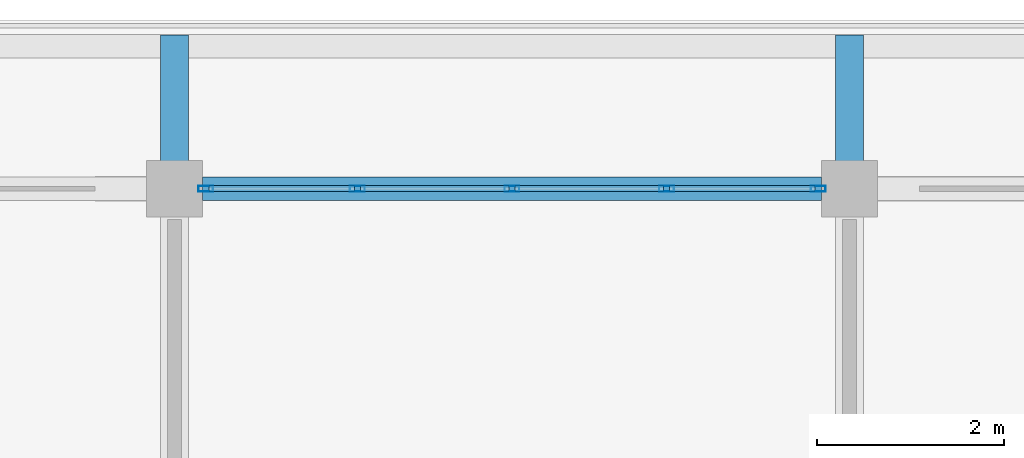
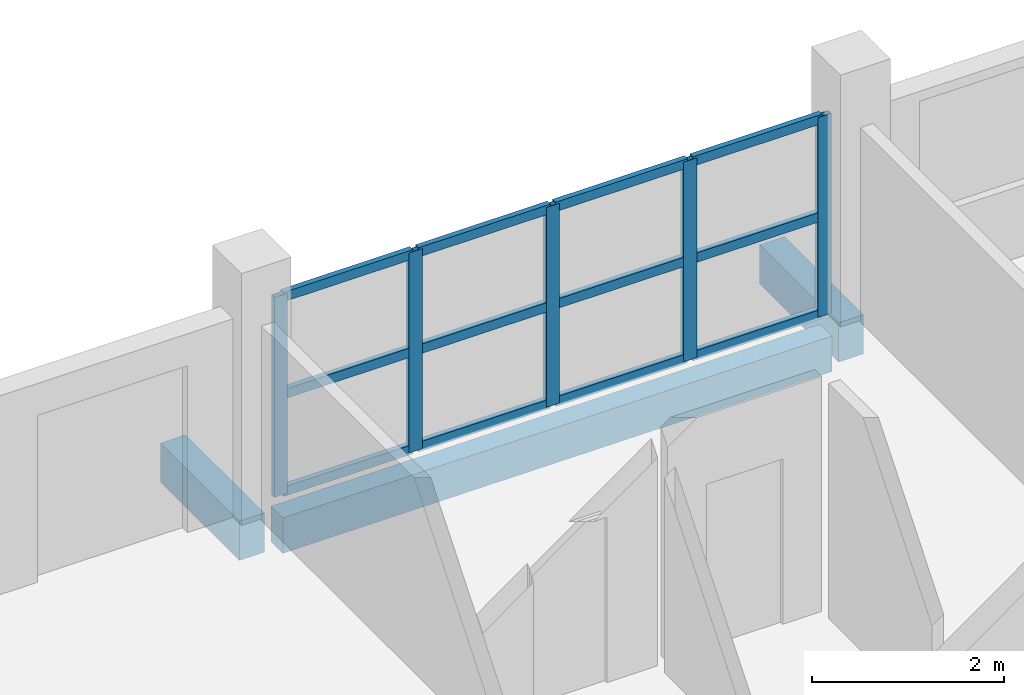
# One storey, part 17 of 67: 17 members, 3 beams, 1 element without a shape of its own.
"""IFC4 building model written with IfcOpenShell, lengths in metres."""

from ifc_helpers import new_model, si_unit, direction, frame, origin, origin_2d, place, context, subcontext, project, spatial, rectangle, hollow_rectangle, extrude, material, material_profile, profile_set, type_object, element, aggregate, save


model = new_model("IFC4")

# Units and contexts
model_context = context("Model", 3, precision=1e-05, world=origin(), true_north=direction((0.0, 1.0)))
body_context = subcontext(model_context, "Body", "Model", "MODEL_VIEW")
ifc_project = project(units=[si_unit("LENGTHUNIT", "METRE"), si_unit("AREAUNIT", "SQUARE_METRE"), si_unit("VOLUMEUNIT", "CUBIC_METRE"), si_unit("PLANEANGLEUNIT", "RADIAN"), si_unit("MASSUNIT", "GRAM", prefix="KILO")], contexts=[model_context])

# Site, building, storey
site_placement = place(None, origin())
site = spatial("IfcSite", under=ifc_project, at=site_placement, CompositionType="ELEMENT")
building_placement = place(site_placement, origin())
building = spatial("IfcBuilding", under=site, at=building_placement, Name="Suanplinth Sawtooth Commons", CompositionType="ELEMENT")
storey_placement = place(building_placement, frame((0.0, 0.0, 25.10009765625)))
storey = spatial("IfcBuildingStorey", under=building, at=storey_placement, Name="L07", CompositionType="ELEMENT", Elevation=25.10009765625)

# Beams
ifc_material_1 = material(Name="Precast concrete C40/50", Category="concrete")
ifc_material_profile_1 = material_profile(ifc_material_1, rectangle(XDim=0.300048828125, YDim=0.5, at=origin_2d()), Name="PC-BM 300x500")
ifc_profile_set_1 = profile_set([ifc_material_profile_1], Name="Precast concrete C40/50")
beam_type_1 = type_object("IfcBeamType", Name="B-07", PredefinedType="BEAM", material=ifc_profile_set_1)
for number, where, z_axis, x_axis, name in (
    (1, (86.39990234375, 122.39990234375, -0.43017578125), (0.0, 1.0, 0.0), (-1.0, 0.0, 0.0), "Balcony Outrigger L07-A-N-12"),
    (2, (93.60009765625, 122.39990234375, -0.43017578125), (0.0, 1.0, 0.0), (-1.0, 0.0, 0.0), "Balcony Outrigger L07-A-N-13"),
):
    element("IfcBeam", number, at=place(storey_placement, frame(where, z_axis=z_axis, x_axis=x_axis)), inside=storey, type_object=beam_type_1, Name=name, PredefinedType="BEAM", context=body_context, shape_type="SweptSolid", body=[
        extrude(rectangle(XDim=0.300048828125, YDim=0.5, at=origin_2d()), origin(), (0.0, 0.0, 1.0), 1.64013671875),
    ])
ifc_material_profile_2 = material_profile(ifc_material_1, rectangle(XDim=0.25, YDim=0.449951171875, at=origin_2d()), Name="PC-SP 250x450")
ifc_profile_set_2 = profile_set([ifc_material_profile_2], Name="Precast concrete C40/50")
beam_type_2 = type_object("IfcBeamType", Name="B-09", PredefinedType="SPANDREL", material=ifc_profile_set_2)
beam_placement = place(storey_placement, frame((86.699951171875, 122.39990234375, -0.445068359375), z_axis=(1.0, 0.0, 0.0), x_axis=(0.0, 1.0, 0.0)))
element("IfcBeam", 3, at=beam_placement, inside=storey, type_object=beam_type_2, Name="BMX-L07-A-12-17", PredefinedType="SPANDREL", context=body_context, shape_type="SweptSolid", body=[
    extrude(rectangle(XDim=0.25, YDim=0.449951171875, at=origin_2d()), origin(), (0.0, 0.0, 1.0), 6.60009765625),
])

# Curtain wall, members
ifc_material_2 = material(Name="Anodized aluminium and low-E glazing", Category="aluminium")
curtain_wall_type = type_object("IfcCurtainWallType", Name="CW-06", PredefinedType="USERDEFINED", material=ifc_material_2)
curtain_wall_placement = place(storey_placement, origin())
curtain_wall = element("IfcCurtainWall", 4, at=curtain_wall_placement, inside=storey, type_object=curtain_wall_type, Name="Curtain Wall CW-L07-A-LOUNGE-11", ObjectType="CURTAIN WALL", PredefinedType="USERDEFINED")
ifc_material_3 = material(Name="Anodized aluminium 6063-T6", Category="aluminium")
ifc_material_profile_3 = material_profile(ifc_material_3, hollow_rectangle(XDim=0.06494140625, YDim=0.159912109375, WallThickness=0.00390625, at=origin_2d()), Name="ALU-MUL 65x160")
ifc_profile_set_3 = profile_set([ifc_material_profile_3], Name="Anodized aluminium 6063-T6")
member_type_1 = type_object("IfcMemberType", Name="M-13", PredefinedType="MULLION", material=ifc_profile_set_3)
member_1_placement = place(storey_placement, frame((86.732421875, 122.39990234375, 0.0), z_axis=(0.0, 0.0, 1.0), x_axis=(0.0, 1.0, 0.0)))
member_1 = element("IfcMember", 5, at=member_1_placement, type_object=member_type_1, Name="CW-06 mullion 1", PredefinedType="MULLION", context=body_context, shape_type="SweptSolid", body=[
    extrude(hollow_rectangle(XDim=0.06494140625, YDim=0.159912109375, WallThickness=0.00390625, at=origin_2d()), origin(), (0.0, 0.0, 1.0), 2.539794921875),
])
member_2_placement = place(storey_placement, frame((88.35009765625, 122.39990234375, 0.0), z_axis=(0.0, 0.0, 1.0), x_axis=(0.0, 1.0, 0.0)))
member_2 = element("IfcMember", 6, at=member_2_placement, type_object=member_type_1, Name="CW-06 mullion 2", PredefinedType="MULLION", context=body_context, shape_type="SweptSolid", body=[
    extrude(hollow_rectangle(XDim=0.06494140625, YDim=0.159912109375, WallThickness=0.00390625, at=origin_2d()), origin(), (0.0, 0.0, 1.0), 2.539794921875),
])
member_3_placement = place(storey_placement, frame((90.0, 122.39990234375, 0.0), z_axis=(0.0, 0.0, 1.0), x_axis=(0.0, 1.0, 0.0)))
member_3 = element("IfcMember", 7, at=member_3_placement, type_object=member_type_1, Name="CW-06 mullion 3", PredefinedType="MULLION", context=body_context, shape_type="SweptSolid", body=[
    extrude(hollow_rectangle(XDim=0.06494140625, YDim=0.159912109375, WallThickness=0.00390625, at=origin_2d()), origin(), (0.0, 0.0, 1.0), 2.539794921875),
])
member_4_placement = place(storey_placement, frame((91.64990234375, 122.39990234375, 0.0), z_axis=(0.0, 0.0, 1.0), x_axis=(0.0, 1.0, 0.0)))
member_4 = element("IfcMember", 8, at=member_4_placement, type_object=member_type_1, Name="CW-06 mullion 4", PredefinedType="MULLION", context=body_context, shape_type="SweptSolid", body=[
    extrude(hollow_rectangle(XDim=0.06494140625, YDim=0.159912109375, WallThickness=0.00390625, at=origin_2d()), origin(), (0.0, 0.0, 1.0), 2.539794921875),
])
member_5_placement = place(storey_placement, frame((93.267578125, 122.39990234375, 0.0), z_axis=(0.0, 0.0, 1.0), x_axis=(0.0, 1.0, 0.0)))
member_5 = element("IfcMember", 9, at=member_5_placement, type_object=member_type_1, Name="CW-06 mullion 5", PredefinedType="MULLION", context=body_context, shape_type="SweptSolid", body=[
    extrude(hollow_rectangle(XDim=0.06494140625, YDim=0.159912109375, WallThickness=0.00390625, at=origin_2d()), origin(), (0.0, 0.0, 1.0), 2.539794921875),
])
ifc_material_profile_4 = material_profile(ifc_material_3, hollow_rectangle(XDim=0.06494140625, YDim=0.1201171875, WallThickness=0.00390625, at=origin_2d()), Name="ALU-TRN 65x120")
ifc_profile_set_4 = profile_set([ifc_material_profile_4], Name="Anodized aluminium 6063-T6")
member_type_2 = type_object("IfcMemberType", Name="M-15", PredefinedType="USERDEFINED", material=ifc_profile_set_4)
member_6_placement = place(storey_placement, frame((86.764892578125, 122.39990234375, 0.032470703125), z_axis=(1.0, 0.0, 0.0), x_axis=(0.0, 1.0, 0.0)))
member_6 = element("IfcMember", 10, at=member_6_placement, type_object=member_type_2, Name="CW-06 transom 1.1", ObjectType="TRANSOM", PredefinedType="USERDEFINED", context=body_context, shape_type="SweptSolid", body=[
    extrude(hollow_rectangle(XDim=0.06494140625, YDim=0.1201171875, WallThickness=0.00390625, at=origin_2d()), origin(), (0.0, 0.0, 1.0), 1.552490234375),
])
member_7_placement = place(storey_placement, frame((86.764892578125, 122.39990234375, 1.27001953125), z_axis=(1.0, 0.0, 0.0), x_axis=(0.0, 1.0, 0.0)))
member_7 = element("IfcMember", 11, at=member_7_placement, type_object=member_type_2, Name="CW-06 transom 1.2", ObjectType="TRANSOM", PredefinedType="USERDEFINED", context=body_context, shape_type="SweptSolid", body=[
    extrude(hollow_rectangle(XDim=0.06494140625, YDim=0.1201171875, WallThickness=0.00390625, at=origin_2d()), origin(), (0.0, 0.0, 1.0), 1.552490234375),
])
member_8_placement = place(storey_placement, frame((86.764892578125, 122.39990234375, 2.50732421875), z_axis=(1.0, 0.0, 0.0), x_axis=(0.0, 1.0, 0.0)))
member_8 = element("IfcMember", 12, at=member_8_placement, type_object=member_type_2, Name="CW-06 transom 1.3", ObjectType="TRANSOM", PredefinedType="USERDEFINED", context=body_context, shape_type="SweptSolid", body=[
    extrude(hollow_rectangle(XDim=0.06494140625, YDim=0.1201171875, WallThickness=0.00390625, at=origin_2d()), origin(), (0.0, 0.0, 1.0), 1.552490234375),
])
member_9_placement = place(storey_placement, frame((88.382568359375, 122.39990234375, 0.032470703125), z_axis=(1.0, 0.0, 0.0), x_axis=(0.0, 1.0, 0.0)))
member_9 = element("IfcMember", 13, at=member_9_placement, type_object=member_type_2, Name="CW-06 transom 2.1", ObjectType="TRANSOM", PredefinedType="USERDEFINED", context=body_context, shape_type="SweptSolid", body=[
    extrude(hollow_rectangle(XDim=0.06494140625, YDim=0.1201171875, WallThickness=0.00390625, at=origin_2d()), origin(), (0.0, 0.0, 1.0), 1.5849609375),
])
member_10_placement = place(storey_placement, frame((88.382568359375, 122.39990234375, 1.27001953125), z_axis=(1.0, 0.0, 0.0), x_axis=(0.0, 1.0, 0.0)))
member_10 = element("IfcMember", 14, at=member_10_placement, type_object=member_type_2, Name="CW-06 transom 2.2", ObjectType="TRANSOM", PredefinedType="USERDEFINED", context=body_context, shape_type="SweptSolid", body=[
    extrude(hollow_rectangle(XDim=0.06494140625, YDim=0.1201171875, WallThickness=0.00390625, at=origin_2d()), origin(), (0.0, 0.0, 1.0), 1.5849609375),
])
member_11_placement = place(storey_placement, frame((88.382568359375, 122.39990234375, 2.50732421875), z_axis=(1.0, 0.0, 0.0), x_axis=(0.0, 1.0, 0.0)))
member_11 = element("IfcMember", 15, at=member_11_placement, type_object=member_type_2, Name="CW-06 transom 2.3", ObjectType="TRANSOM", PredefinedType="USERDEFINED", context=body_context, shape_type="SweptSolid", body=[
    extrude(hollow_rectangle(XDim=0.06494140625, YDim=0.1201171875, WallThickness=0.00390625, at=origin_2d()), origin(), (0.0, 0.0, 1.0), 1.5849609375),
])
member_12_placement = place(storey_placement, frame((90.032470703125, 122.39990234375, 0.032470703125), z_axis=(1.0, 0.0, 0.0), x_axis=(0.0, 1.0, 0.0)))
member_12 = element("IfcMember", 16, at=member_12_placement, type_object=member_type_2, Name="CW-06 transom 3.1", ObjectType="TRANSOM", PredefinedType="USERDEFINED", context=body_context, shape_type="SweptSolid", body=[
    extrude(hollow_rectangle(XDim=0.06494140625, YDim=0.1201171875, WallThickness=0.00390625, at=origin_2d()), origin(), (0.0, 0.0, 1.0), 1.5849609375),
])
member_13_placement = place(storey_placement, frame((90.032470703125, 122.39990234375, 1.27001953125), z_axis=(1.0, 0.0, 0.0), x_axis=(0.0, 1.0, 0.0)))
member_13 = element("IfcMember", 17, at=member_13_placement, type_object=member_type_2, Name="CW-06 transom 3.2", ObjectType="TRANSOM", PredefinedType="USERDEFINED", context=body_context, shape_type="SweptSolid", body=[
    extrude(hollow_rectangle(XDim=0.06494140625, YDim=0.1201171875, WallThickness=0.00390625, at=origin_2d()), origin(), (0.0, 0.0, 1.0), 1.5849609375),
])
member_14_placement = place(storey_placement, frame((90.032470703125, 122.39990234375, 2.50732421875), z_axis=(1.0, 0.0, 0.0), x_axis=(0.0, 1.0, 0.0)))
member_14 = element("IfcMember", 18, at=member_14_placement, type_object=member_type_2, Name="CW-06 transom 3.3", ObjectType="TRANSOM", PredefinedType="USERDEFINED", context=body_context, shape_type="SweptSolid", body=[
    extrude(hollow_rectangle(XDim=0.06494140625, YDim=0.1201171875, WallThickness=0.00390625, at=origin_2d()), origin(), (0.0, 0.0, 1.0), 1.5849609375),
])
member_15_placement = place(storey_placement, frame((91.6826171875, 122.39990234375, 0.032470703125), z_axis=(1.0, 0.0, 0.0), x_axis=(0.0, 1.0, 0.0)))
member_15 = element("IfcMember", 19, at=member_15_placement, type_object=member_type_2, Name="CW-06 transom 4.1", ObjectType="TRANSOM", PredefinedType="USERDEFINED", context=body_context, shape_type="SweptSolid", body=[
    extrude(hollow_rectangle(XDim=0.06494140625, YDim=0.1201171875, WallThickness=0.00390625, at=origin_2d()), origin(), (0.0, 0.0, 1.0), 1.552490234375),
])
member_16_placement = place(storey_placement, frame((91.6826171875, 122.39990234375, 1.27001953125), z_axis=(1.0, 0.0, 0.0), x_axis=(0.0, 1.0, 0.0)))
member_16 = element("IfcMember", 20, at=member_16_placement, type_object=member_type_2, Name="CW-06 transom 4.2", ObjectType="TRANSOM", PredefinedType="USERDEFINED", context=body_context, shape_type="SweptSolid", body=[
    extrude(hollow_rectangle(XDim=0.06494140625, YDim=0.1201171875, WallThickness=0.00390625, at=origin_2d()), origin(), (0.0, 0.0, 1.0), 1.552490234375),
])
member_17_placement = place(storey_placement, frame((91.6826171875, 122.39990234375, 2.50732421875), z_axis=(1.0, 0.0, 0.0), x_axis=(0.0, 1.0, 0.0)))
member_17 = element("IfcMember", 21, at=member_17_placement, type_object=member_type_2, Name="CW-06 transom 4.3", ObjectType="TRANSOM", PredefinedType="USERDEFINED", context=body_context, shape_type="SweptSolid", body=[
    extrude(hollow_rectangle(XDim=0.06494140625, YDim=0.1201171875, WallThickness=0.00390625, at=origin_2d()), origin(), (0.0, 0.0, 1.0), 1.552490234375),
])
aggregate(curtain_wall, [member_1, member_2, member_3, member_4, member_5, member_6, member_7, member_8, member_9, member_10, member_11, member_12, member_13, member_14, member_15, member_16, member_17])

save(model, "model.ifc")
